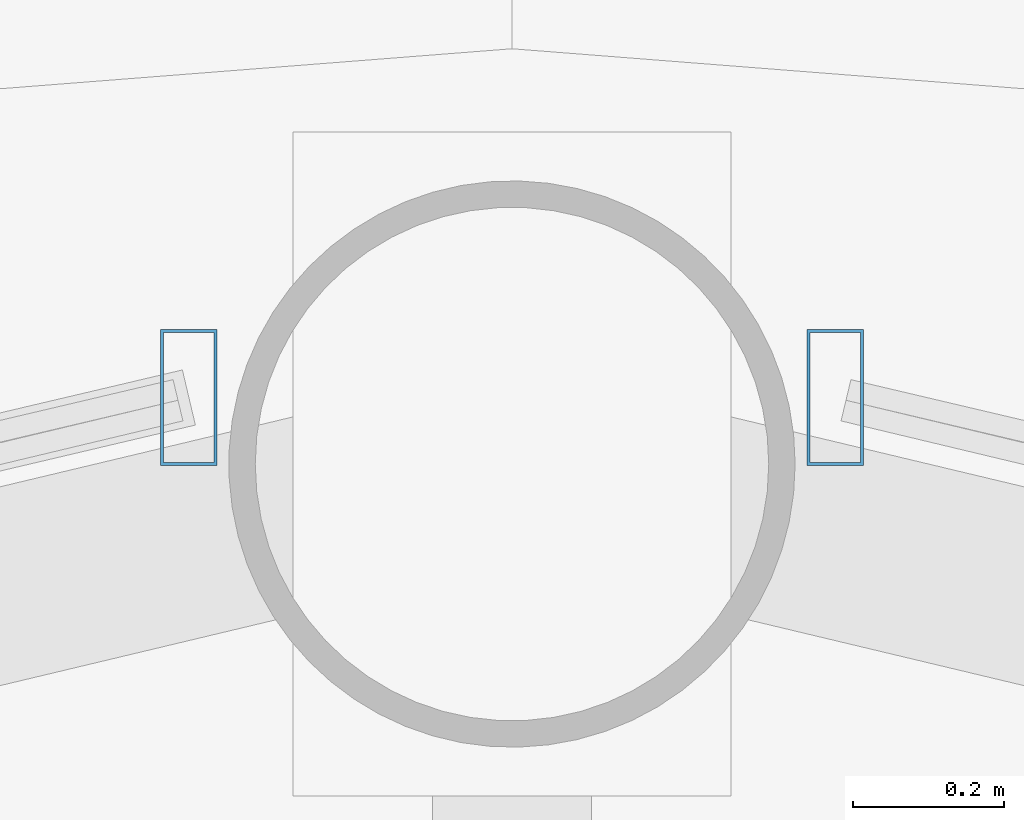
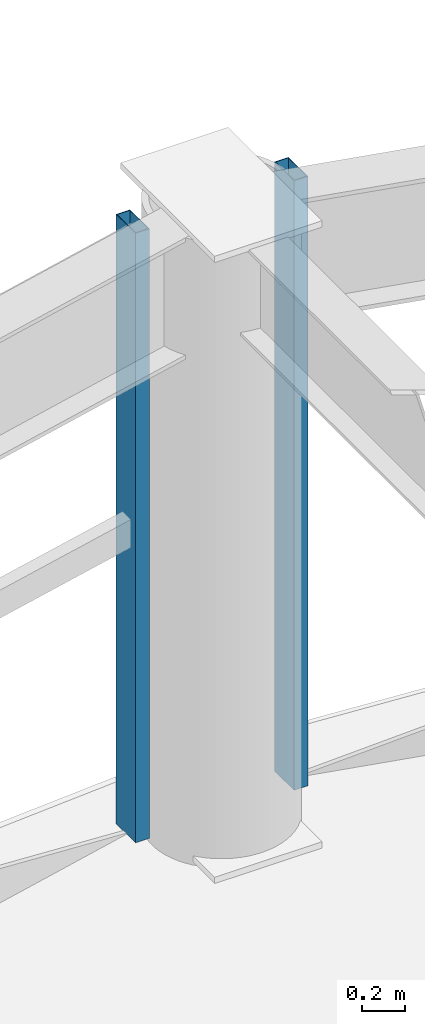
# One storey, part 18 of 30: 2 members, 2 elements without a shape of their own.
"""IFC4 building model written with IfcOpenShell, lengths in metres."""

from ifc_helpers import new_model, si_unit, direction, frame, origin, origin_2d, place, context, subcontext, project, spatial, hollow_rectangle, extrude, material, layer, layer_set, material_profile, profile_set, type_object, element, aggregate, save


model = new_model("IFC4")

# Units and contexts
model_context = context("Model", 3, precision=1e-05, world=origin(), true_north=direction((0.0, 1.0)))
body_context = subcontext(model_context, "Body", "Model", "MODEL_VIEW")
ifc_project = project(units=[si_unit("LENGTHUNIT", "METRE"), si_unit("AREAUNIT", "SQUARE_METRE"), si_unit("VOLUMEUNIT", "CUBIC_METRE"), si_unit("PLANEANGLEUNIT", "RADIAN"), si_unit("MASSUNIT", "GRAM", prefix="KILO")], contexts=[model_context])

# Site, building, storey
site_placement = place(None, origin())
site = spatial("IfcSite", under=ifc_project, at=site_placement, CompositionType="ELEMENT")
building_placement = place(site_placement, origin())
building = spatial("IfcBuilding", under=site, at=building_placement, Name="Vantalir Tower", CompositionType="ELEMENT")
storey_placement = place(building_placement, frame((0.0, 0.0, 130.949951171875)))
storey = spatial("IfcBuildingStorey", under=building, at=storey_placement, Name="L32", CompositionType="ELEMENT", Elevation=130.949951171875)

# Curtain wall, member
ifc_material_1 = material(Name="Champagne-silver PVDF aluminium and double-silver Low-E glass", Category="aluminium")
ifc_layer = layer(ifc_material_1, 0.199951171875)
ifc_layer_set = layer_set([ifc_layer], Name="Champagne-silver PVDF aluminium and double-silver Low-E glass")
curtain_wall_type = type_object("IfcCurtainWallType", Name="CW-DIAMOND-Z2", PredefinedType="USERDEFINED", material=ifc_layer_set)
curtain_wall_1_placement = place(storey_placement, origin())
curtain_wall_1 = element("IfcCurtainWall", 1, at=curtain_wall_1_placement, inside=storey, type_object=curtain_wall_type, Name="L32 Quilted Pyramid-Diamond Curtain Wall S03", ObjectType="UNITISED CURTAIN WALL", PredefinedType="USERDEFINED")
ifc_material_2 = material(Name="Champagne-silver PVDF aluminium 6063-T6", Category="aluminium")
ifc_material_profile = material_profile(ifc_material_2, hollow_rectangle(XDim=0.074951171875, YDim=0.179931640625, WallThickness=0.00390625, at=origin_2d()), Name="Champagne-silver PVDF aluminium 6063-T6")
ifc_profile_set = profile_set([ifc_material_profile], Name="Champagne-silver PVDF aluminium 6063-T6")
member_type = type_object("IfcMemberType", Name="CWM-180x75", PredefinedType="MULLION", material=ifc_profile_set)
member_1_placement = place(storey_placement, frame((31.927978515625, 47.43310546875, 0.045166015625), z_axis=(0.0, 0.0, 1.0), x_axis=(1.0, 0.0, 0.0)))
member_1 = element("IfcMember", 2, at=member_1_placement, type_object=member_type, Name="CW-L32-S03 Mullion 2", PredefinedType="MULLION", context=body_context, shape_type="SweptSolid", body=[
    extrude(hollow_rectangle(XDim=0.074951171875, YDim=0.179931640625, WallThickness=0.00390625, at=origin_2d()), origin(), (0.0, 0.0, 1.0), 3.47998046875),
])
aggregate(curtain_wall_1, [member_1])

curtain_wall_2_placement = place(storey_placement, origin())
curtain_wall_2 = element("IfcCurtainWall", 3, at=curtain_wall_2_placement, inside=storey, type_object=curtain_wall_type, Name="L32 Quilted Pyramid-Diamond Curtain Wall S04", ObjectType="UNITISED CURTAIN WALL", PredefinedType="USERDEFINED")
member_2_placement = place(storey_placement, frame((31.072021484375, 47.43310546875, 0.045166015625), z_axis=(0.0, 0.0, 1.0), x_axis=(1.0, 0.0, 0.0)))
member_2 = element("IfcMember", 4, at=member_2_placement, type_object=member_type, Name="CW-L32-S04 Mullion 1", PredefinedType="MULLION", context=body_context, shape_type="SweptSolid", body=[
    extrude(hollow_rectangle(XDim=0.074951171875, YDim=0.179931640625, WallThickness=0.00390625, at=origin_2d()), origin(), (0.0, 0.0, 1.0), 3.47998046875),
])
aggregate(curtain_wall_2, [member_2])

save(model, "model.ifc")
